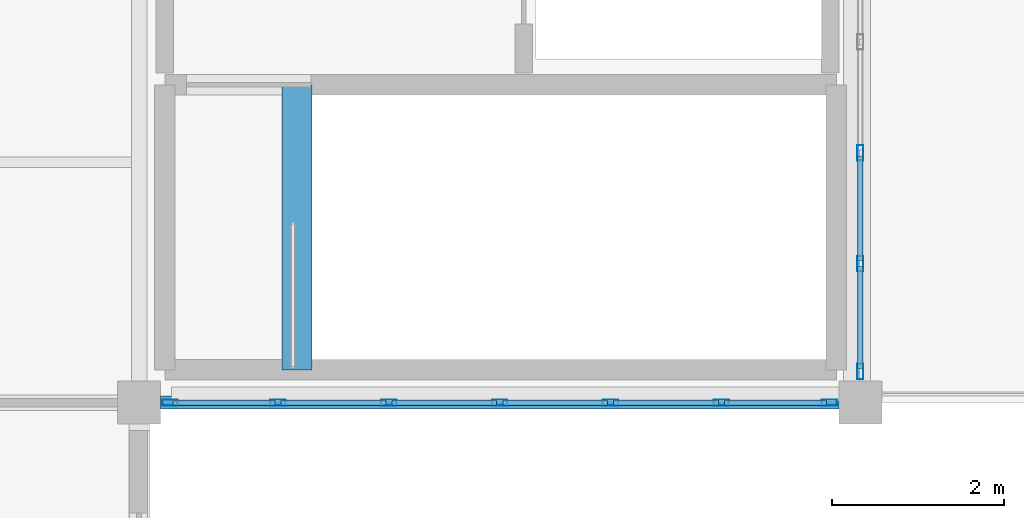
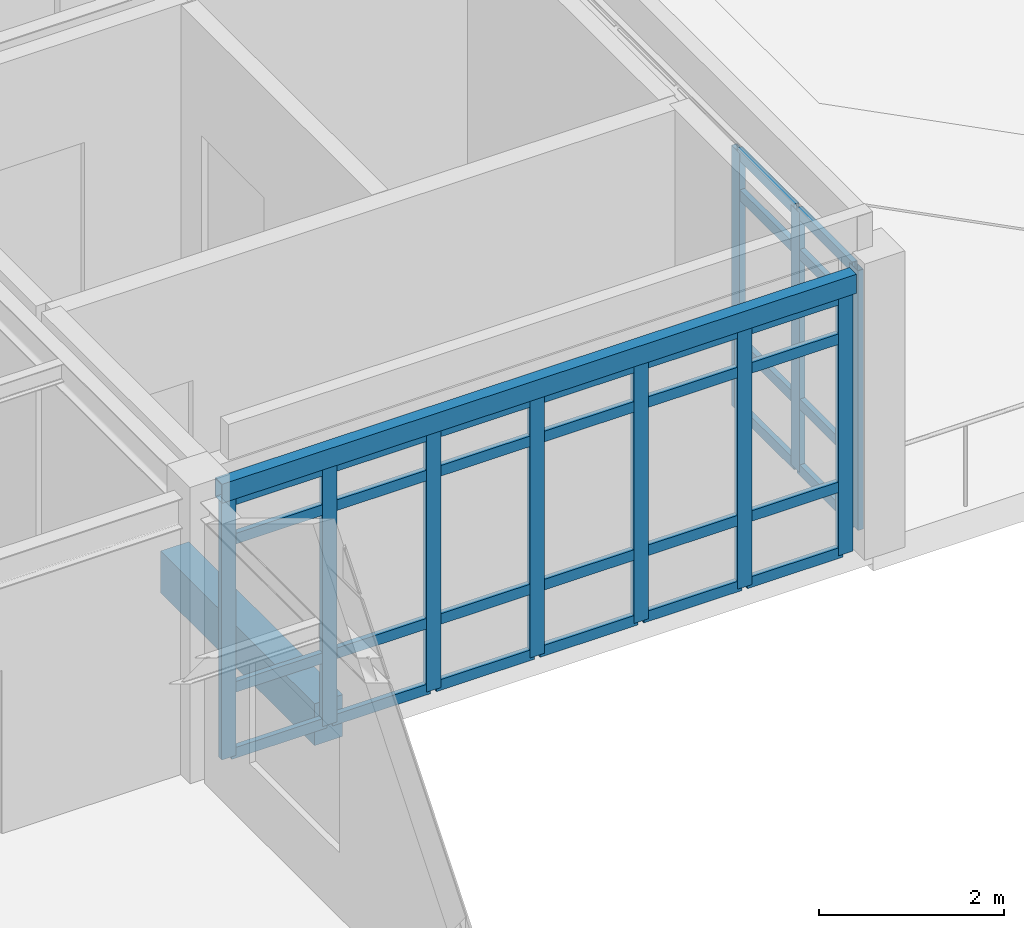
# One storey, part 18 of 45: 42 members, 2 beams, 2 elements without a shape of their own.
"""IFC4 building model written with IfcOpenShell, lengths in metres."""

from ifc_helpers import new_model, si_unit, direction, frame, origin, origin_2d, place, context, subcontext, project, spatial, rectangle, hollow_rectangle, extrude, material, layer, layer_set, material_profile, profile_set, type_object, element, aggregate, save


model = new_model("IFC4")

# Units and contexts
model_context = context("Model", 3, precision=1e-05, world=origin(), true_north=direction((0.0, 1.0)))
body_context = subcontext(model_context, "Body", "Model", "MODEL_VIEW")
ifc_project = project(units=[si_unit("LENGTHUNIT", "METRE"), si_unit("AREAUNIT", "SQUARE_METRE"), si_unit("VOLUMEUNIT", "CUBIC_METRE"), si_unit("PLANEANGLEUNIT", "RADIAN"), si_unit("MASSUNIT", "GRAM", prefix="KILO")], contexts=[model_context])

# Site, building, storey
site_placement = place(None, origin())
site = spatial("IfcSite", under=ifc_project, at=site_placement, CompositionType="ELEMENT")
building_placement = place(site_placement, origin())
building = spatial("IfcBuilding", under=site, at=building_placement, Name="Bramfleet General Hospital", CompositionType="ELEMENT")
storey_placement = place(building_placement, frame((0.0, 0.0, 30.300048828125)))
storey = spatial("IfcBuildingStorey", under=building, at=storey_placement, Name="L07", CompositionType="ELEMENT", Elevation=30.300048828125)

# Beams
ifc_material_1 = material(Name="Concrete C35/45", Category="concrete")
ifc_material_profile_1 = material_profile(ifc_material_1, rectangle(XDim=0.35009765625, YDim=0.550048828125, at=origin_2d()), Name="RC BM 550x350")
ifc_profile_set_1 = profile_set([ifc_material_profile_1], Name="Concrete C35/45")
beam_type_1 = type_object("IfcBeamType", Name="BM-RC550", PredefinedType="BEAM", material=ifc_profile_set_1)
beam_1_placement = place(storey_placement, frame((119.43994140625, 92.780029296875, -0.275146484375), z_axis=(0.0, 1.0, 0.0), x_axis=(-1.0, 0.0, 0.0)))
element("IfcBeam", 1, at=beam_1_placement, inside=storey, type_object=beam_type_1, Name="L07 C6 Stairwell Trimmer Beam", PredefinedType="BEAM", context=body_context, shape_type="SweptSolid", body=[
    extrude(rectangle(XDim=0.35009765625, YDim=0.550048828125, at=origin_2d()), origin(), (0.0, 0.0, 1.0), 3.320068359375),
])
ifc_material_2 = material(Name="Steel S355", Category="steel")
ifc_material_profile_2 = material_profile(ifc_material_2, hollow_rectangle(XDim=0.14990234375, YDim=0.25, WallThickness=0.010009765625, at=origin_2d()), Name="RHS 250x150x10.0")
ifc_profile_set_2 = profile_set([ifc_material_profile_2], Name="Steel S355")
beam_type_2 = type_object("IfcBeamType", Name="BM-RHS250", PredefinedType="SPANDREL", material=ifc_profile_set_2)
beam_2_placement = place(storey_placement, frame((117.85009765625, 92.39990234375, 3.534912109375), z_axis=(1.0, 0.0, 0.0), x_axis=(0.0, 1.0, 0.0)))
element("IfcBeam", 2, at=beam_2_placement, inside=storey, type_object=beam_type_2, Name="L07 Grid Beam X 14-11", PredefinedType="SPANDREL", context=body_context, shape_type="SweptSolid", body=[
    extrude(hollow_rectangle(XDim=0.14990234375, YDim=0.25, WallThickness=0.010009765625, at=origin_2d()), origin(), (0.0, 0.0, 1.0), 7.89990234375),
])

# Curtain wall, members
ifc_material_3 = material(Name="Anodised aluminium and low-E triple glazing", Category="aluminium")
ifc_layer_1 = layer(ifc_material_3, 0.179931640625, Name="CWT-CW-12")
ifc_layer_set_1 = layer_set([ifc_layer_1], Name="Anodised aluminium and low-E triple glazing")
curtain_wall_type_1 = type_object("IfcCurtainWallType", Name="CWT-CW-12", PredefinedType="USERDEFINED", material=ifc_layer_set_1)
curtain_wall_1_placement = place(storey_placement, origin())
curtain_wall_1 = element("IfcCurtainWall", 3, at=curtain_wall_1_placement, inside=storey, type_object=curtain_wall_type_1, Name="L07 Curtain Wall 228", ObjectType="Stick curtain wall", PredefinedType="USERDEFINED")
ifc_material_4 = material(Name="Anodised aluminium EN AW-6060", Category="aluminium")
ifc_material_profile_3 = material_profile(ifc_material_4, hollow_rectangle(XDim=0.070068359375, YDim=0.179931640625, WallThickness=0.00390625, at=origin_2d()), Name="ALU 180x70x4.0")
ifc_profile_set_3 = profile_set([ifc_material_profile_3], Name="Anodised aluminium EN AW-6060")
member_type_1 = type_object("IfcMemberType", Name="CWM-ALU180", PredefinedType="MULLION", material=ifc_profile_set_3)
member_1_placement = place(storey_placement, frame((126.0, 95.308349609375, 0.0), z_axis=(0.0, 0.0, 1.0), x_axis=(1.0, 0.0, 0.0)))
member_1 = element("IfcMember", 4, at=member_1_placement, type_object=member_type_1, Name="CW-12 mullion 5", PredefinedType="MULLION", context=body_context, shape_type="SweptSolid", body=[
    extrude(hollow_rectangle(XDim=0.070068359375, YDim=0.179931640625, WallThickness=0.00390625, at=origin_2d()), origin(), (0.0, 0.0, 1.0), 3.419921875),
])
member_2_placement = place(storey_placement, frame((126.0, 94.0166015625, 0.0), z_axis=(0.0, 0.0, 1.0), x_axis=(1.0, 0.0, 0.0)))
member_2 = element("IfcMember", 5, at=member_2_placement, type_object=member_type_1, Name="CW-12 mullion 6", PredefinedType="MULLION", context=body_context, shape_type="SweptSolid", body=[
    extrude(hollow_rectangle(XDim=0.070068359375, YDim=0.179931640625, WallThickness=0.00390625, at=origin_2d()), origin(), (0.0, 0.0, 1.0), 3.419921875),
])
member_3_placement = place(storey_placement, frame((126.0, 92.760009765625, 0.0), z_axis=(0.0, 0.0, 1.0), x_axis=(1.0, 0.0, 0.0)))
member_3 = element("IfcMember", 6, at=member_3_placement, type_object=member_type_1, Name="CW-12 mullion 7", PredefinedType="MULLION", context=body_context, shape_type="SweptSolid", body=[
    extrude(hollow_rectangle(XDim=0.070068359375, YDim=0.179931640625, WallThickness=0.00390625, at=origin_2d()), origin(), (0.0, 0.0, 1.0), 3.419921875),
])

ifc_layer_2 = layer(ifc_material_3, 0.179931640625, Name="CWT-CW-13")
ifc_layer_set_2 = layer_set([ifc_layer_2], Name="Anodised aluminium and low-E triple glazing")
curtain_wall_type_2 = type_object("IfcCurtainWallType", Name="CWT-CW-13", PredefinedType="USERDEFINED", material=ifc_layer_set_2)
curtain_wall_2_placement = place(storey_placement, origin())
curtain_wall_2 = element("IfcCurtainWall", 7, at=curtain_wall_2_placement, inside=storey, type_object=curtain_wall_type_2, Name="L07 Curtain Wall 229", ObjectType="Stick curtain wall", PredefinedType="USERDEFINED")
member_4_placement = place(storey_placement, frame((125.639892578125, 92.39990234375, 0.0), z_axis=(0.0, 0.0, 1.0), x_axis=(0.0, -1.0, 0.0)))
member_4 = element("IfcMember", 8, at=member_4_placement, type_object=member_type_1, Name="CW-13 mullion 1", PredefinedType="MULLION", context=body_context, shape_type="SweptSolid", body=[
    extrude(hollow_rectangle(XDim=0.070068359375, YDim=0.179931640625, WallThickness=0.00390625, at=origin_2d()), origin(), (0.0, 0.0, 1.0), 3.39990234375),
])
member_5_placement = place(storey_placement, frame((124.38330078125, 92.39990234375, 0.0), z_axis=(0.0, 0.0, 1.0), x_axis=(0.0, -1.0, 0.0)))
member_5 = element("IfcMember", 9, at=member_5_placement, type_object=member_type_1, Name="CW-13 mullion 2", PredefinedType="MULLION", context=body_context, shape_type="SweptSolid", body=[
    extrude(hollow_rectangle(XDim=0.070068359375, YDim=0.179931640625, WallThickness=0.00390625, at=origin_2d()), origin(), (0.0, 0.0, 1.0), 3.39990234375),
])
member_6_placement = place(storey_placement, frame((123.091552734375, 92.39990234375, 0.0), z_axis=(0.0, 0.0, 1.0), x_axis=(0.0, -1.0, 0.0)))
member_6 = element("IfcMember", 10, at=member_6_placement, type_object=member_type_1, Name="CW-13 mullion 3", PredefinedType="MULLION", context=body_context, shape_type="SweptSolid", body=[
    extrude(hollow_rectangle(XDim=0.070068359375, YDim=0.179931640625, WallThickness=0.00390625, at=origin_2d()), origin(), (0.0, 0.0, 1.0), 3.39990234375),
])
member_7_placement = place(storey_placement, frame((121.800048828125, 92.39990234375, 0.0), z_axis=(0.0, 0.0, 1.0), x_axis=(0.0, -1.0, 0.0)))
member_7 = element("IfcMember", 11, at=member_7_placement, type_object=member_type_1, Name="CW-13 mullion 4", PredefinedType="MULLION", context=body_context, shape_type="SweptSolid", body=[
    extrude(hollow_rectangle(XDim=0.070068359375, YDim=0.179931640625, WallThickness=0.00390625, at=origin_2d()), origin(), (0.0, 0.0, 1.0), 3.39990234375),
])
member_8_placement = place(storey_placement, frame((120.50830078125, 92.39990234375, 0.0), z_axis=(0.0, 0.0, 1.0), x_axis=(0.0, -1.0, 0.0)))
member_8 = element("IfcMember", 12, at=member_8_placement, type_object=member_type_1, Name="CW-13 mullion 5", PredefinedType="MULLION", context=body_context, shape_type="SweptSolid", body=[
    extrude(hollow_rectangle(XDim=0.070068359375, YDim=0.179931640625, WallThickness=0.00390625, at=origin_2d()), origin(), (0.0, 0.0, 1.0), 3.39990234375),
])
member_9_placement = place(storey_placement, frame((119.216552734375, 92.39990234375, 0.0), z_axis=(0.0, 0.0, 1.0), x_axis=(0.0, -1.0, 0.0)))
member_9 = element("IfcMember", 13, at=member_9_placement, type_object=member_type_1, Name="CW-13 mullion 6", PredefinedType="MULLION", context=body_context, shape_type="SweptSolid", body=[
    extrude(hollow_rectangle(XDim=0.070068359375, YDim=0.179931640625, WallThickness=0.00390625, at=origin_2d()), origin(), (0.0, 0.0, 1.0), 3.39990234375),
])
member_10_placement = place(storey_placement, frame((117.9599609375, 92.39990234375, 0.0), z_axis=(0.0, 0.0, 1.0), x_axis=(0.0, -1.0, 0.0)))
member_10 = element("IfcMember", 14, at=member_10_placement, type_object=member_type_1, Name="CW-13 mullion 7", PredefinedType="MULLION", context=body_context, shape_type="SweptSolid", body=[
    extrude(hollow_rectangle(XDim=0.070068359375, YDim=0.179931640625, WallThickness=0.00390625, at=origin_2d()), origin(), (0.0, 0.0, 1.0), 3.39990234375),
])

# Member
ifc_material_profile_4 = material_profile(ifc_material_4, hollow_rectangle(XDim=0.06494140625, YDim=0.139892578125, WallThickness=0.00390625, at=origin_2d()), Name="ALU 140x65x4.0")
ifc_profile_set_4 = profile_set([ifc_material_profile_4], Name="Anodised aluminium EN AW-6060")
member_type_2 = type_object("IfcMemberType", Name="CWT-ALU140", PredefinedType="USERDEFINED", material=ifc_profile_set_4)
member_11_placement = place(storey_placement, frame((126.0, 95.2734375, 0.032470703125), z_axis=(0.0, -1.0, 0.0), x_axis=(1.0, 0.0, 0.0)))
member_11 = element("IfcMember", 15, at=member_11_placement, type_object=member_type_2, Name="CW-12 transom 5.1", ObjectType="TRANSOM", PredefinedType="USERDEFINED", context=body_context, shape_type="SweptSolid", body=[
    extrude(hollow_rectangle(XDim=0.06494140625, YDim=0.139892578125, WallThickness=0.00390625, at=origin_2d()), origin(), (0.0, 0.0, 1.0), 1.2216796875),
])

member_12_placement = place(storey_placement, frame((126.0, 95.2734375, 0.89990234375), z_axis=(0.0, -1.0, 0.0), x_axis=(1.0, 0.0, 0.0)))
member_12 = element("IfcMember", 16, at=member_12_placement, type_object=member_type_2, Name="CW-12 transom 5.2", ObjectType="TRANSOM", PredefinedType="USERDEFINED", context=body_context, shape_type="SweptSolid", body=[
    extrude(hollow_rectangle(XDim=0.06494140625, YDim=0.139892578125, WallThickness=0.00390625, at=origin_2d()), origin(), (0.0, 0.0, 1.0), 1.2216796875),
])

member_13_placement = place(storey_placement, frame((126.0, 95.2734375, 2.869873046875), z_axis=(0.0, -1.0, 0.0), x_axis=(1.0, 0.0, 0.0)))
member_13 = element("IfcMember", 17, at=member_13_placement, type_object=member_type_2, Name="CW-12 transom 5.3", ObjectType="TRANSOM", PredefinedType="USERDEFINED", context=body_context, shape_type="SweptSolid", body=[
    extrude(hollow_rectangle(XDim=0.06494140625, YDim=0.139892578125, WallThickness=0.00390625, at=origin_2d()), origin(), (0.0, 0.0, 1.0), 1.2216796875),
])

member_14_placement = place(storey_placement, frame((126.0, 95.2734375, 3.387451171875), z_axis=(0.0, -1.0, 0.0), x_axis=(1.0, 0.0, 0.0)))
member_14 = element("IfcMember", 18, at=member_14_placement, type_object=member_type_2, Name="CW-12 transom 5.4", ObjectType="TRANSOM", PredefinedType="USERDEFINED", context=body_context, shape_type="SweptSolid", body=[
    extrude(hollow_rectangle(XDim=0.06494140625, YDim=0.139892578125, WallThickness=0.00390625, at=origin_2d()), origin(), (0.0, 0.0, 1.0), 1.2216796875),
])

member_15_placement = place(storey_placement, frame((126.0, 93.981689453125, 0.032470703125), z_axis=(0.0, -1.0, 0.0), x_axis=(1.0, 0.0, 0.0)))
member_15 = element("IfcMember", 19, at=member_15_placement, type_object=member_type_2, Name="CW-12 transom 6.1", ObjectType="TRANSOM", PredefinedType="USERDEFINED", context=body_context, shape_type="SweptSolid", body=[
    extrude(hollow_rectangle(XDim=0.06494140625, YDim=0.139892578125, WallThickness=0.00390625, at=origin_2d()), origin(), (0.0, 0.0, 1.0), 1.186767578125),
])

member_16_placement = place(storey_placement, frame((126.0, 93.981689453125, 0.89990234375), z_axis=(0.0, -1.0, 0.0), x_axis=(1.0, 0.0, 0.0)))
member_16 = element("IfcMember", 20, at=member_16_placement, type_object=member_type_2, Name="CW-12 transom 6.2", ObjectType="TRANSOM", PredefinedType="USERDEFINED", context=body_context, shape_type="SweptSolid", body=[
    extrude(hollow_rectangle(XDim=0.06494140625, YDim=0.139892578125, WallThickness=0.00390625, at=origin_2d()), origin(), (0.0, 0.0, 1.0), 1.186767578125),
])

member_17_placement = place(storey_placement, frame((126.0, 93.981689453125, 2.869873046875), z_axis=(0.0, -1.0, 0.0), x_axis=(1.0, 0.0, 0.0)))
member_17 = element("IfcMember", 21, at=member_17_placement, type_object=member_type_2, Name="CW-12 transom 6.3", ObjectType="TRANSOM", PredefinedType="USERDEFINED", context=body_context, shape_type="SweptSolid", body=[
    extrude(hollow_rectangle(XDim=0.06494140625, YDim=0.139892578125, WallThickness=0.00390625, at=origin_2d()), origin(), (0.0, 0.0, 1.0), 1.186767578125),
])

member_18_placement = place(storey_placement, frame((126.0, 93.981689453125, 3.387451171875), z_axis=(0.0, -1.0, 0.0), x_axis=(1.0, 0.0, 0.0)))
member_18 = element("IfcMember", 22, at=member_18_placement, type_object=member_type_2, Name="CW-12 transom 6.4", ObjectType="TRANSOM", PredefinedType="USERDEFINED", context=body_context, shape_type="SweptSolid", body=[
    extrude(hollow_rectangle(XDim=0.06494140625, YDim=0.139892578125, WallThickness=0.00390625, at=origin_2d()), origin(), (0.0, 0.0, 1.0), 1.186767578125),
])

aggregate(curtain_wall_1, [member_1, member_2, member_3, member_11, member_12, member_13, member_14, member_15, member_16, member_17, member_18])

member_19_placement = place(storey_placement, frame((125.60498046875, 92.39990234375, 0.032470703125), z_axis=(-1.0, 0.0, 0.0), x_axis=(0.0, -1.0, 0.0)))
member_19 = element("IfcMember", 23, at=member_19_placement, type_object=member_type_2, Name="CW-13 transom 1.1", ObjectType="TRANSOM", PredefinedType="USERDEFINED", context=body_context, shape_type="SweptSolid", body=[
    extrude(hollow_rectangle(XDim=0.06494140625, YDim=0.139892578125, WallThickness=0.00390625, at=origin_2d()), origin(), (0.0, 0.0, 1.0), 1.186767578125),
])

member_20_placement = place(storey_placement, frame((125.60498046875, 92.39990234375, 0.89990234375), z_axis=(-1.0, 0.0, 0.0), x_axis=(0.0, -1.0, 0.0)))
member_20 = element("IfcMember", 24, at=member_20_placement, type_object=member_type_2, Name="CW-13 transom 1.2", ObjectType="TRANSOM", PredefinedType="USERDEFINED", context=body_context, shape_type="SweptSolid", body=[
    extrude(hollow_rectangle(XDim=0.06494140625, YDim=0.139892578125, WallThickness=0.00390625, at=origin_2d()), origin(), (0.0, 0.0, 1.0), 1.186767578125),
])

member_21_placement = place(storey_placement, frame((125.60498046875, 92.39990234375, 2.849853515625), z_axis=(-1.0, 0.0, 0.0), x_axis=(0.0, -1.0, 0.0)))
member_21 = element("IfcMember", 25, at=member_21_placement, type_object=member_type_2, Name="CW-13 transom 1.3", ObjectType="TRANSOM", PredefinedType="USERDEFINED", context=body_context, shape_type="SweptSolid", body=[
    extrude(hollow_rectangle(XDim=0.06494140625, YDim=0.139892578125, WallThickness=0.00390625, at=origin_2d()), origin(), (0.0, 0.0, 1.0), 1.186767578125),
])

member_22_placement = place(storey_placement, frame((125.60498046875, 92.39990234375, 3.367431640625), z_axis=(-1.0, 0.0, 0.0), x_axis=(0.0, -1.0, 0.0)))
member_22 = element("IfcMember", 26, at=member_22_placement, type_object=member_type_2, Name="CW-13 transom 1.4", ObjectType="TRANSOM", PredefinedType="USERDEFINED", context=body_context, shape_type="SweptSolid", body=[
    extrude(hollow_rectangle(XDim=0.06494140625, YDim=0.139892578125, WallThickness=0.00390625, at=origin_2d()), origin(), (0.0, 0.0, 1.0), 1.186767578125),
])

member_23_placement = place(storey_placement, frame((124.348388671875, 92.39990234375, 0.032470703125), z_axis=(-1.0, 0.0, 0.0), x_axis=(0.0, -1.0, 0.0)))
member_23 = element("IfcMember", 27, at=member_23_placement, type_object=member_type_2, Name="CW-13 transom 2.1", ObjectType="TRANSOM", PredefinedType="USERDEFINED", context=body_context, shape_type="SweptSolid", body=[
    extrude(hollow_rectangle(XDim=0.06494140625, YDim=0.139892578125, WallThickness=0.00390625, at=origin_2d()), origin(), (0.0, 0.0, 1.0), 1.2216796875),
])

member_24_placement = place(storey_placement, frame((124.348388671875, 92.39990234375, 0.89990234375), z_axis=(-1.0, 0.0, 0.0), x_axis=(0.0, -1.0, 0.0)))
member_24 = element("IfcMember", 28, at=member_24_placement, type_object=member_type_2, Name="CW-13 transom 2.2", ObjectType="TRANSOM", PredefinedType="USERDEFINED", context=body_context, shape_type="SweptSolid", body=[
    extrude(hollow_rectangle(XDim=0.06494140625, YDim=0.139892578125, WallThickness=0.00390625, at=origin_2d()), origin(), (0.0, 0.0, 1.0), 1.2216796875),
])

member_25_placement = place(storey_placement, frame((124.348388671875, 92.39990234375, 2.849853515625), z_axis=(-1.0, 0.0, 0.0), x_axis=(0.0, -1.0, 0.0)))
member_25 = element("IfcMember", 29, at=member_25_placement, type_object=member_type_2, Name="CW-13 transom 2.3", ObjectType="TRANSOM", PredefinedType="USERDEFINED", context=body_context, shape_type="SweptSolid", body=[
    extrude(hollow_rectangle(XDim=0.06494140625, YDim=0.139892578125, WallThickness=0.00390625, at=origin_2d()), origin(), (0.0, 0.0, 1.0), 1.2216796875),
])

member_26_placement = place(storey_placement, frame((124.348388671875, 92.39990234375, 3.367431640625), z_axis=(-1.0, 0.0, 0.0), x_axis=(0.0, -1.0, 0.0)))
member_26 = element("IfcMember", 30, at=member_26_placement, type_object=member_type_2, Name="CW-13 transom 2.4", ObjectType="TRANSOM", PredefinedType="USERDEFINED", context=body_context, shape_type="SweptSolid", body=[
    extrude(hollow_rectangle(XDim=0.06494140625, YDim=0.139892578125, WallThickness=0.00390625, at=origin_2d()), origin(), (0.0, 0.0, 1.0), 1.2216796875),
])

member_27_placement = place(storey_placement, frame((123.056640625, 92.39990234375, 0.032470703125), z_axis=(-1.0, 0.0, 0.0), x_axis=(0.0, -1.0, 0.0)))
member_27 = element("IfcMember", 31, at=member_27_placement, type_object=member_type_2, Name="CW-13 transom 3.1", ObjectType="TRANSOM", PredefinedType="USERDEFINED", context=body_context, shape_type="SweptSolid", body=[
    extrude(hollow_rectangle(XDim=0.06494140625, YDim=0.139892578125, WallThickness=0.00390625, at=origin_2d()), origin(), (0.0, 0.0, 1.0), 1.2216796875),
])

member_28_placement = place(storey_placement, frame((123.056640625, 92.39990234375, 0.89990234375), z_axis=(-1.0, 0.0, 0.0), x_axis=(0.0, -1.0, 0.0)))
member_28 = element("IfcMember", 32, at=member_28_placement, type_object=member_type_2, Name="CW-13 transom 3.2", ObjectType="TRANSOM", PredefinedType="USERDEFINED", context=body_context, shape_type="SweptSolid", body=[
    extrude(hollow_rectangle(XDim=0.06494140625, YDim=0.139892578125, WallThickness=0.00390625, at=origin_2d()), origin(), (0.0, 0.0, 1.0), 1.2216796875),
])

member_29_placement = place(storey_placement, frame((123.056640625, 92.39990234375, 2.849853515625), z_axis=(-1.0, 0.0, 0.0), x_axis=(0.0, -1.0, 0.0)))
member_29 = element("IfcMember", 33, at=member_29_placement, type_object=member_type_2, Name="CW-13 transom 3.3", ObjectType="TRANSOM", PredefinedType="USERDEFINED", context=body_context, shape_type="SweptSolid", body=[
    extrude(hollow_rectangle(XDim=0.06494140625, YDim=0.139892578125, WallThickness=0.00390625, at=origin_2d()), origin(), (0.0, 0.0, 1.0), 1.2216796875),
])

member_30_placement = place(storey_placement, frame((123.056640625, 92.39990234375, 3.367431640625), z_axis=(-1.0, 0.0, 0.0), x_axis=(0.0, -1.0, 0.0)))
member_30 = element("IfcMember", 34, at=member_30_placement, type_object=member_type_2, Name="CW-13 transom 3.4", ObjectType="TRANSOM", PredefinedType="USERDEFINED", context=body_context, shape_type="SweptSolid", body=[
    extrude(hollow_rectangle(XDim=0.06494140625, YDim=0.139892578125, WallThickness=0.00390625, at=origin_2d()), origin(), (0.0, 0.0, 1.0), 1.2216796875),
])

member_31_placement = place(storey_placement, frame((121.764892578125, 92.39990234375, 0.032470703125), z_axis=(-1.0, 0.0, 0.0), x_axis=(0.0, -1.0, 0.0)))
member_31 = element("IfcMember", 35, at=member_31_placement, type_object=member_type_2, Name="CW-13 transom 4.1", ObjectType="TRANSOM", PredefinedType="USERDEFINED", context=body_context, shape_type="SweptSolid", body=[
    extrude(hollow_rectangle(XDim=0.06494140625, YDim=0.139892578125, WallThickness=0.00390625, at=origin_2d()), origin(), (0.0, 0.0, 1.0), 1.2216796875),
])

member_32_placement = place(storey_placement, frame((121.764892578125, 92.39990234375, 0.89990234375), z_axis=(-1.0, 0.0, 0.0), x_axis=(0.0, -1.0, 0.0)))
member_32 = element("IfcMember", 36, at=member_32_placement, type_object=member_type_2, Name="CW-13 transom 4.2", ObjectType="TRANSOM", PredefinedType="USERDEFINED", context=body_context, shape_type="SweptSolid", body=[
    extrude(hollow_rectangle(XDim=0.06494140625, YDim=0.139892578125, WallThickness=0.00390625, at=origin_2d()), origin(), (0.0, 0.0, 1.0), 1.2216796875),
])

member_33_placement = place(storey_placement, frame((121.764892578125, 92.39990234375, 2.849853515625), z_axis=(-1.0, 0.0, 0.0), x_axis=(0.0, -1.0, 0.0)))
member_33 = element("IfcMember", 37, at=member_33_placement, type_object=member_type_2, Name="CW-13 transom 4.3", ObjectType="TRANSOM", PredefinedType="USERDEFINED", context=body_context, shape_type="SweptSolid", body=[
    extrude(hollow_rectangle(XDim=0.06494140625, YDim=0.139892578125, WallThickness=0.00390625, at=origin_2d()), origin(), (0.0, 0.0, 1.0), 1.2216796875),
])

member_34_placement = place(storey_placement, frame((121.764892578125, 92.39990234375, 3.367431640625), z_axis=(-1.0, 0.0, 0.0), x_axis=(0.0, -1.0, 0.0)))
member_34 = element("IfcMember", 38, at=member_34_placement, type_object=member_type_2, Name="CW-13 transom 4.4", ObjectType="TRANSOM", PredefinedType="USERDEFINED", context=body_context, shape_type="SweptSolid", body=[
    extrude(hollow_rectangle(XDim=0.06494140625, YDim=0.139892578125, WallThickness=0.00390625, at=origin_2d()), origin(), (0.0, 0.0, 1.0), 1.2216796875),
])

member_35_placement = place(storey_placement, frame((120.473388671875, 92.39990234375, 0.032470703125), z_axis=(-1.0, 0.0, 0.0), x_axis=(0.0, -1.0, 0.0)))
member_35 = element("IfcMember", 39, at=member_35_placement, type_object=member_type_2, Name="CW-13 transom 5.1", ObjectType="TRANSOM", PredefinedType="USERDEFINED", context=body_context, shape_type="SweptSolid", body=[
    extrude(hollow_rectangle(XDim=0.06494140625, YDim=0.139892578125, WallThickness=0.00390625, at=origin_2d()), origin(), (0.0, 0.0, 1.0), 1.2216796875),
])

member_36_placement = place(storey_placement, frame((120.473388671875, 92.39990234375, 0.89990234375), z_axis=(-1.0, 0.0, 0.0), x_axis=(0.0, -1.0, 0.0)))
member_36 = element("IfcMember", 40, at=member_36_placement, type_object=member_type_2, Name="CW-13 transom 5.2", ObjectType="TRANSOM", PredefinedType="USERDEFINED", context=body_context, shape_type="SweptSolid", body=[
    extrude(hollow_rectangle(XDim=0.06494140625, YDim=0.139892578125, WallThickness=0.00390625, at=origin_2d()), origin(), (0.0, 0.0, 1.0), 1.2216796875),
])

member_37_placement = place(storey_placement, frame((120.473388671875, 92.39990234375, 2.849853515625), z_axis=(-1.0, 0.0, 0.0), x_axis=(0.0, -1.0, 0.0)))
member_37 = element("IfcMember", 41, at=member_37_placement, type_object=member_type_2, Name="CW-13 transom 5.3", ObjectType="TRANSOM", PredefinedType="USERDEFINED", context=body_context, shape_type="SweptSolid", body=[
    extrude(hollow_rectangle(XDim=0.06494140625, YDim=0.139892578125, WallThickness=0.00390625, at=origin_2d()), origin(), (0.0, 0.0, 1.0), 1.2216796875),
])

member_38_placement = place(storey_placement, frame((120.473388671875, 92.39990234375, 3.367431640625), z_axis=(-1.0, 0.0, 0.0), x_axis=(0.0, -1.0, 0.0)))
member_38 = element("IfcMember", 42, at=member_38_placement, type_object=member_type_2, Name="CW-13 transom 5.4", ObjectType="TRANSOM", PredefinedType="USERDEFINED", context=body_context, shape_type="SweptSolid", body=[
    extrude(hollow_rectangle(XDim=0.06494140625, YDim=0.139892578125, WallThickness=0.00390625, at=origin_2d()), origin(), (0.0, 0.0, 1.0), 1.2216796875),
])

member_39_placement = place(storey_placement, frame((119.181640625, 92.39990234375, 0.032470703125), z_axis=(-1.0, 0.0, 0.0), x_axis=(0.0, -1.0, 0.0)))
member_39 = element("IfcMember", 43, at=member_39_placement, type_object=member_type_2, Name="CW-13 transom 6.1", ObjectType="TRANSOM", PredefinedType="USERDEFINED", context=body_context, shape_type="SweptSolid", body=[
    extrude(hollow_rectangle(XDim=0.06494140625, YDim=0.139892578125, WallThickness=0.00390625, at=origin_2d()), origin(), (0.0, 0.0, 1.0), 1.1865234375),
])

member_40_placement = place(storey_placement, frame((119.181640625, 92.39990234375, 0.89990234375), z_axis=(-1.0, 0.0, 0.0), x_axis=(0.0, -1.0, 0.0)))
member_40 = element("IfcMember", 44, at=member_40_placement, type_object=member_type_2, Name="CW-13 transom 6.2", ObjectType="TRANSOM", PredefinedType="USERDEFINED", context=body_context, shape_type="SweptSolid", body=[
    extrude(hollow_rectangle(XDim=0.06494140625, YDim=0.139892578125, WallThickness=0.00390625, at=origin_2d()), origin(), (0.0, 0.0, 1.0), 1.1865234375),
])

member_41_placement = place(storey_placement, frame((119.181640625, 92.39990234375, 2.849853515625), z_axis=(-1.0, 0.0, 0.0), x_axis=(0.0, -1.0, 0.0)))
member_41 = element("IfcMember", 45, at=member_41_placement, type_object=member_type_2, Name="CW-13 transom 6.3", ObjectType="TRANSOM", PredefinedType="USERDEFINED", context=body_context, shape_type="SweptSolid", body=[
    extrude(hollow_rectangle(XDim=0.06494140625, YDim=0.139892578125, WallThickness=0.00390625, at=origin_2d()), origin(), (0.0, 0.0, 1.0), 1.1865234375),
])

member_42_placement = place(storey_placement, frame((119.181640625, 92.39990234375, 3.367431640625), z_axis=(-1.0, 0.0, 0.0), x_axis=(0.0, -1.0, 0.0)))
member_42 = element("IfcMember", 46, at=member_42_placement, type_object=member_type_2, Name="CW-13 transom 6.4", ObjectType="TRANSOM", PredefinedType="USERDEFINED", context=body_context, shape_type="SweptSolid", body=[
    extrude(hollow_rectangle(XDim=0.06494140625, YDim=0.139892578125, WallThickness=0.00390625, at=origin_2d()), origin(), (0.0, 0.0, 1.0), 1.1865234375),
])

aggregate(curtain_wall_2, [member_4, member_5, member_6, member_7, member_8, member_9, member_10, member_19, member_20, member_21, member_22, member_23, member_24, member_25, member_26, member_27, member_28, member_29, member_30, member_31, member_32, member_33, member_34, member_35, member_36, member_37, member_38, member_39, member_40, member_41, member_42])

save(model, "model.ifc")
